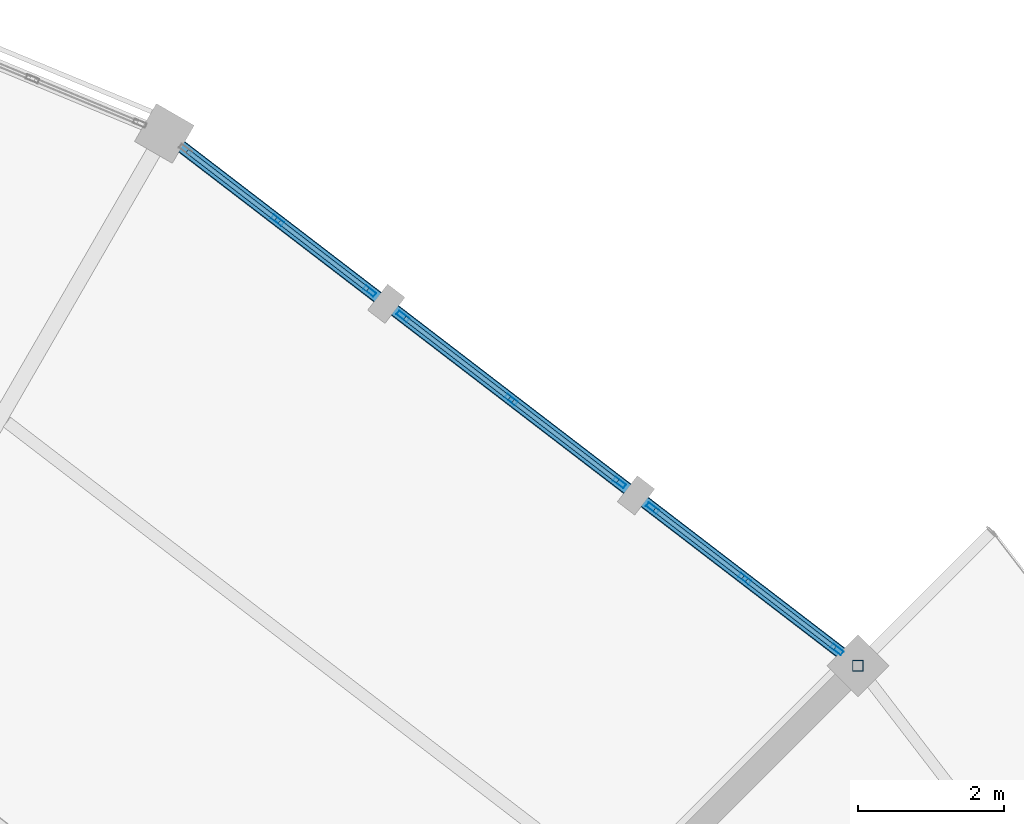
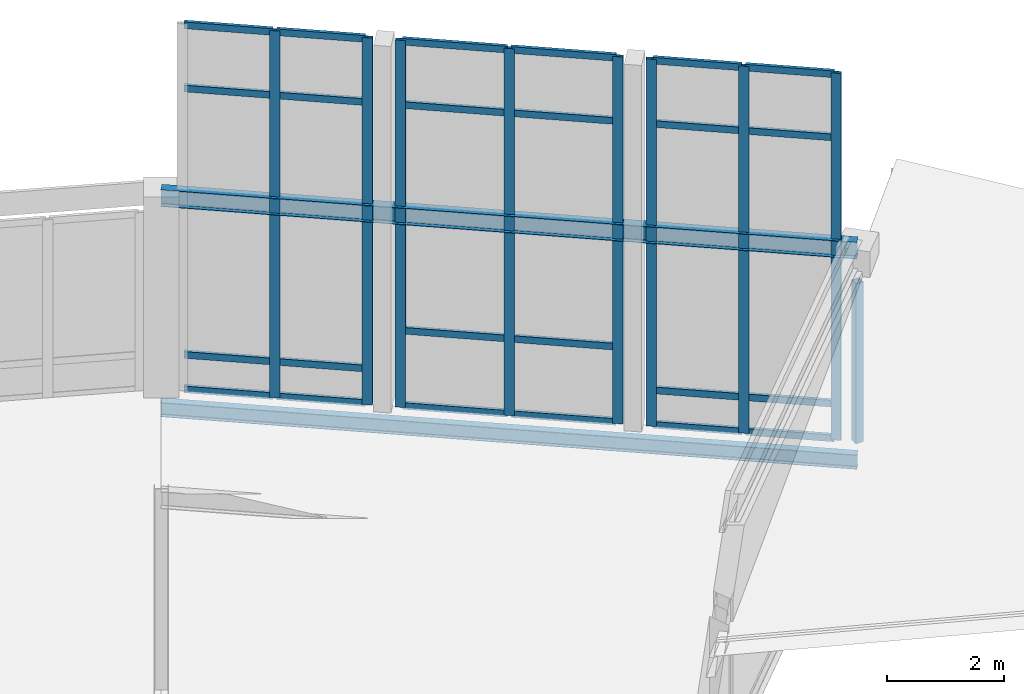
# One storey, part 124 of 200: 33 members, 2 beams, 3 elements without a shape of their own.
"""IFC4 building model written with IfcOpenShell, lengths in metres."""

from ifc_helpers import new_model, si_unit, direction, frame, origin, origin_2d, place, context, subcontext, project, spatial, hollow_rectangle, i_section, extrude, material, material_profile, profile_set, type_object, element, aggregate, save


model = new_model("IFC4")

# Units and contexts
model_context = context("Model", 3, precision=1e-05, world=origin(), true_north=direction((0.0, 1.0)))
body_context = subcontext(model_context, "Body", "Model", "MODEL_VIEW")
ifc_project = project(units=[si_unit("LENGTHUNIT", "METRE"), si_unit("AREAUNIT", "SQUARE_METRE"), si_unit("VOLUMEUNIT", "CUBIC_METRE"), si_unit("PLANEANGLEUNIT", "RADIAN"), si_unit("MASSUNIT", "GRAM", prefix="KILO")], contexts=[model_context])

# Site, building, storey
site_placement = place(None, origin())
site = spatial("IfcSite", under=ifc_project, at=site_placement, CompositionType="ELEMENT")
building_placement = place(site_placement, origin())
building = spatial("IfcBuilding", under=site, at=building_placement, Name="Vondelvale Polytechnic", CompositionType="ELEMENT")
storey_placement = place(building_placement, frame((0.0, 0.0, 13.800048828125)))
storey = spatial("IfcBuildingStorey", under=building, at=storey_placement, Name="L03", CompositionType="ELEMENT", Elevation=13.800048828125)

# Beams
ifc_material_1 = material(Name="Steel 300PLUS (fy = 300 MPa)", Category="steel")
ifc_material_profile_1 = material_profile(ifc_material_1, i_section(OverallWidth=0.14892578125, OverallDepth=0.298095703125, WebThickness=0.005615234375, FlangeThickness=0.008056640625, FilletRadius=0.011474609375, at=origin_2d()), Name="310UB32.0")
ifc_profile_set_1 = profile_set([ifc_material_profile_1], Name="Steel 300PLUS (fy = 300 MPa)")
beam_type_1 = type_object("IfcBeamType", Name="BM-UB310L", PredefinedType="BEAM", material=ifc_profile_set_1)
beam_1_placement = place(storey_placement, frame((134.52685546875, 104.52685546875, -0.399169921875), z_axis=(-0.793349743808, 0.608766116008, 0.0), x_axis=(-0.608766116008, -0.793349743808, 0.0)))
element("IfcBeam", 1, at=beam_1_placement, inside=storey, type_object=beam_type_1, Name="L03 RB B-25", PredefinedType="BEAM", context=body_context, shape_type="SweptSolid", body=[
    extrude(i_section(OverallWidth=0.14892578125, OverallDepth=0.298095703125, WebThickness=0.005615234375, FlangeThickness=0.008056640625, FilletRadius=0.011474609375, at=origin_2d()), origin(), (0.0, 0.0, 1.0), 12.00830078125),
])
ifc_material_profile_2 = material_profile(ifc_material_1, i_section(OverallWidth=0.1708984375, OverallDepth=0.35205078125, WebThickness=0.0068359375, FlangeThickness=0.009765625, FilletRadius=0.011474609375, at=origin_2d()), Name="360UB44.7")
ifc_profile_set_2 = profile_set([ifc_material_profile_2], Name="Steel 300PLUS (fy = 300 MPa)")
beam_type_2 = type_object("IfcBeamType", Name="BM-UB360L", PredefinedType="BEAM", material=ifc_profile_set_2)
beam_2_placement = place(storey_placement, frame((134.52685546875, 104.52685546875, 4.02392578125), z_axis=(-0.793349743808, 0.608766116008, 0.0), x_axis=(-0.608766116008, -0.793349743808, 0.0)))
element("IfcBeam", 2, at=beam_2_placement, inside=storey, type_object=beam_type_2, Name="L03 RE B-24", PredefinedType="BEAM", context=body_context, shape_type="SweptSolid", body=[
    extrude(i_section(OverallWidth=0.1708984375, OverallDepth=0.35205078125, WebThickness=0.0068359375, FlangeThickness=0.009765625, FilletRadius=0.011474609375, at=origin_2d()), origin(), (0.0, 0.0, 1.0), 12.00830078125),
])

# Curtain wall, members
ifc_material_2 = material(Name="Glulam GL18 structural Tasmanian oak (fb = 42 MPa)", Category="wood")
curtain_wall_type = type_object("IfcCurtainWallType", Name="CW-RING-OUTER", PredefinedType="NOTDEFINED", material=ifc_material_2)
curtain_wall_1_placement = place(storey_placement, origin())
curtain_wall_1 = element("IfcCurtainWall", 3, at=curtain_wall_1_placement, inside=storey, type_object=curtain_wall_type, Name="L03 architectural curtain wall CW-04-109", PredefinedType="NOTDEFINED")
ifc_material_3 = material(Name="Anodised extruded aluminium 6063-T6", Category="aluminium")
ifc_material_profile_3 = material_profile(ifc_material_3, hollow_rectangle(XDim=0.06494140625, YDim=0.179931640625, WallThickness=0.00390625, at=origin_2d()), Name="CW-MUL-180x65")
ifc_profile_set_3 = profile_set([ifc_material_profile_3], Name="Anodised extruded aluminium 6063-T6")
member_type_1 = type_object("IfcMemberType", Name="CW-MUL-65x180", PredefinedType="MULLION", material=ifc_profile_set_3)
member_1_placement = place(storey_placement, frame((134.237060546875, 104.749267578125, 0.0), z_axis=(0.0, 0.0, 1.0), x_axis=(-0.608786860133, -0.793333825656, 0.0)))
member_1 = element("IfcMember", 4, at=member_1_placement, type_object=member_type_1, Name="CW-04-109 mullion 1", PredefinedType="MULLION", context=body_context, shape_type="SweptSolid", body=[
    extrude(hollow_rectangle(XDim=0.06494140625, YDim=0.179931640625, WallThickness=0.00390625, at=origin_2d()), origin(), (0.0, 0.0, 1.0), 7.661376953125),
])
member_2_placement = place(storey_placement, frame((132.9716796875, 105.72021484375, 0.0), z_axis=(0.0, 0.0, 1.0), x_axis=(-0.608786860133, -0.793333825656, 0.0)))
member_2 = element("IfcMember", 5, at=member_2_placement, type_object=member_type_1, Name="CW-04-109 mullion 2", PredefinedType="MULLION", context=body_context, shape_type="SweptSolid", body=[
    extrude(hollow_rectangle(XDim=0.06494140625, YDim=0.179931640625, WallThickness=0.00390625, at=origin_2d()), origin(), (0.0, 0.0, 1.0), 7.661376953125),
])
member_3_placement = place(storey_placement, frame((131.706298828125, 106.691162109375, 0.0), z_axis=(0.0, 0.0, 1.0), x_axis=(-0.608786860133, -0.793333825656, 0.0)))
member_3 = element("IfcMember", 6, at=member_3_placement, type_object=member_type_1, Name="CW-04-109 mullion 3", PredefinedType="MULLION", context=body_context, shape_type="SweptSolid", body=[
    extrude(hollow_rectangle(XDim=0.06494140625, YDim=0.179931640625, WallThickness=0.00390625, at=origin_2d()), origin(), (0.0, 0.0, 1.0), 7.661376953125),
])

curtain_wall_2_placement = place(storey_placement, origin())
curtain_wall_2 = element("IfcCurtainWall", 7, at=curtain_wall_2_placement, inside=storey, type_object=curtain_wall_type, Name="L03 architectural curtain wall CW-04-110", PredefinedType="NOTDEFINED")
member_4_placement = place(storey_placement, frame((131.250244140625, 107.041259765625, 0.0), z_axis=(0.0, 0.0, 1.0), x_axis=(-0.608771189063, -0.793345851043, 0.0)))
member_4 = element("IfcMember", 8, at=member_4_placement, type_object=member_type_1, Name="CW-04-110 mullion 1", PredefinedType="MULLION", context=body_context, shape_type="SweptSolid", body=[
    extrude(hollow_rectangle(XDim=0.06494140625, YDim=0.179931640625, WallThickness=0.00390625, at=origin_2d()), origin(), (0.0, 0.0, 1.0), 7.661376953125),
])
member_5_placement = place(storey_placement, frame((129.763427734375, 108.18212890625, 0.0), z_axis=(0.0, 0.0, 1.0), x_axis=(-0.608771189063, -0.793345851043, 0.0)))
member_5 = element("IfcMember", 9, at=member_5_placement, type_object=member_type_1, Name="CW-04-110 mullion 2", PredefinedType="MULLION", context=body_context, shape_type="SweptSolid", body=[
    extrude(hollow_rectangle(XDim=0.06494140625, YDim=0.179931640625, WallThickness=0.00390625, at=origin_2d()), origin(), (0.0, 0.0, 1.0), 7.661376953125),
])
member_6_placement = place(storey_placement, frame((128.276611328125, 109.322998046875, 0.0), z_axis=(0.0, 0.0, 1.0), x_axis=(-0.608771189063, -0.793345851043, 0.0)))
member_6 = element("IfcMember", 10, at=member_6_placement, type_object=member_type_1, Name="CW-04-110 mullion 3", PredefinedType="MULLION", context=body_context, shape_type="SweptSolid", body=[
    extrude(hollow_rectangle(XDim=0.06494140625, YDim=0.179931640625, WallThickness=0.00390625, at=origin_2d()), origin(), (0.0, 0.0, 1.0), 7.661376953125),
])

curtain_wall_3_placement = place(storey_placement, origin())
curtain_wall_3 = element("IfcCurtainWall", 11, at=curtain_wall_3_placement, inside=storey, type_object=curtain_wall_type, Name="L03 architectural curtain wall CW-04-111", PredefinedType="NOTDEFINED")
member_7_placement = place(storey_placement, frame((127.820556640625, 109.6728515625, 0.0), z_axis=(0.0, 0.0, 1.0), x_axis=(-0.608786860133, -0.793333825656, 0.0)))
member_7 = element("IfcMember", 12, at=member_7_placement, type_object=member_type_1, Name="CW-04-111 mullion 1", PredefinedType="MULLION", context=body_context, shape_type="SweptSolid", body=[
    extrude(hollow_rectangle(XDim=0.06494140625, YDim=0.179931640625, WallThickness=0.00390625, at=origin_2d()), origin(), (0.0, 0.0, 1.0), 7.661376953125),
])
member_8_placement = place(storey_placement, frame((126.55517578125, 110.643798828125, 0.0), z_axis=(0.0, 0.0, 1.0), x_axis=(-0.608786860133, -0.793333825656, 0.0)))
member_8 = element("IfcMember", 13, at=member_8_placement, type_object=member_type_1, Name="CW-04-111 mullion 2", PredefinedType="MULLION", context=body_context, shape_type="SweptSolid", body=[
    extrude(hollow_rectangle(XDim=0.06494140625, YDim=0.179931640625, WallThickness=0.00390625, at=origin_2d()), origin(), (0.0, 0.0, 1.0), 7.661376953125),
])

# Member
ifc_material_profile_4 = material_profile(ifc_material_3, hollow_rectangle(XDim=0.06005859375, YDim=0.139892578125, WallThickness=0.00341796875, at=origin_2d()), Name="CW-TRN-140x60")
ifc_profile_set_4 = profile_set([ifc_material_profile_4], Name="Anodised extruded aluminium 6063-T6")
member_type_2 = type_object("IfcMemberType", Name="CW-TRN-60x140", PredefinedType="USERDEFINED", material=ifc_profile_set_4)
member_9_placement = place(storey_placement, frame((134.21142578125, 104.76904296875, 0.030029296875), z_axis=(-0.793364883229, 0.608746385664, 0.0), x_axis=(-0.608746385664, -0.793364883229, 0.0)))
member_9 = element("IfcMember", 14, at=member_9_placement, type_object=member_type_2, Name="CW-04-109 transom 1.1", ObjectType="TRANSOM", PredefinedType="USERDEFINED", context=body_context, shape_type="SweptSolid", body=[
    extrude(hollow_rectangle(XDim=0.06005859375, YDim=0.139892578125, WallThickness=0.00341796875, at=origin_2d()), origin(), (0.0, 0.0, 1.0), 1.530029296875),
])

member_10_placement = place(storey_placement, frame((134.21142578125, 104.76904296875, 0.75), z_axis=(-0.793364883229, 0.608746385664, 0.0), x_axis=(-0.608746385664, -0.793364883229, 0.0)))
member_10 = element("IfcMember", 15, at=member_10_placement, type_object=member_type_2, Name="CW-04-109 transom 1.2", ObjectType="TRANSOM", PredefinedType="USERDEFINED", context=body_context, shape_type="SweptSolid", body=[
    extrude(hollow_rectangle(XDim=0.06005859375, YDim=0.139892578125, WallThickness=0.00341796875, at=origin_2d()), origin(), (0.0, 0.0, 1.0), 1.530029296875),
])

member_11_placement = place(storey_placement, frame((134.21142578125, 104.76904296875, 6.311279296875), z_axis=(-0.793364883229, 0.608746385664, 0.0), x_axis=(-0.608746385664, -0.793364883229, 0.0)))
member_11 = element("IfcMember", 16, at=member_11_placement, type_object=member_type_2, Name="CW-04-109 transom 1.3", ObjectType="TRANSOM", PredefinedType="USERDEFINED", context=body_context, shape_type="SweptSolid", body=[
    extrude(hollow_rectangle(XDim=0.06005859375, YDim=0.139892578125, WallThickness=0.00341796875, at=origin_2d()), origin(), (0.0, 0.0, 1.0), 1.530029296875),
])

member_12_placement = place(storey_placement, frame((134.21142578125, 104.76904296875, 7.63134765625), z_axis=(-0.793364883229, 0.608746385664, 0.0), x_axis=(-0.608746385664, -0.793364883229, 0.0)))
member_12 = element("IfcMember", 17, at=member_12_placement, type_object=member_type_2, Name="CW-04-109 transom 1.4", ObjectType="TRANSOM", PredefinedType="USERDEFINED", context=body_context, shape_type="SweptSolid", body=[
    extrude(hollow_rectangle(XDim=0.06005859375, YDim=0.139892578125, WallThickness=0.00341796875, at=origin_2d()), origin(), (0.0, 0.0, 1.0), 1.530029296875),
])

member_13_placement = place(storey_placement, frame((132.946044921875, 105.739990234375, 0.030029296875), z_axis=(-0.793364883229, 0.608746385664, 0.0), x_axis=(-0.608746385664, -0.793364883229, 0.0)))
member_13 = element("IfcMember", 18, at=member_13_placement, type_object=member_type_2, Name="CW-04-109 transom 2.1", ObjectType="TRANSOM", PredefinedType="USERDEFINED", context=body_context, shape_type="SweptSolid", body=[
    extrude(hollow_rectangle(XDim=0.06005859375, YDim=0.139892578125, WallThickness=0.00341796875, at=origin_2d()), origin(), (0.0, 0.0, 1.0), 1.530029296875),
])

member_14_placement = place(storey_placement, frame((132.946044921875, 105.739990234375, 0.75), z_axis=(-0.793364883229, 0.608746385664, 0.0), x_axis=(-0.608746385664, -0.793364883229, 0.0)))
member_14 = element("IfcMember", 19, at=member_14_placement, type_object=member_type_2, Name="CW-04-109 transom 2.2", ObjectType="TRANSOM", PredefinedType="USERDEFINED", context=body_context, shape_type="SweptSolid", body=[
    extrude(hollow_rectangle(XDim=0.06005859375, YDim=0.139892578125, WallThickness=0.00341796875, at=origin_2d()), origin(), (0.0, 0.0, 1.0), 1.530029296875),
])

member_15_placement = place(storey_placement, frame((132.946044921875, 105.739990234375, 6.311279296875), z_axis=(-0.793364883229, 0.608746385664, 0.0), x_axis=(-0.608746385664, -0.793364883229, 0.0)))
member_15 = element("IfcMember", 20, at=member_15_placement, type_object=member_type_2, Name="CW-04-109 transom 2.3", ObjectType="TRANSOM", PredefinedType="USERDEFINED", context=body_context, shape_type="SweptSolid", body=[
    extrude(hollow_rectangle(XDim=0.06005859375, YDim=0.139892578125, WallThickness=0.00341796875, at=origin_2d()), origin(), (0.0, 0.0, 1.0), 1.530029296875),
])

member_16_placement = place(storey_placement, frame((132.946044921875, 105.739990234375, 7.63134765625), z_axis=(-0.793364883229, 0.608746385664, 0.0), x_axis=(-0.608746385664, -0.793364883229, 0.0)))
member_16 = element("IfcMember", 21, at=member_16_placement, type_object=member_type_2, Name="CW-04-109 transom 2.4", ObjectType="TRANSOM", PredefinedType="USERDEFINED", context=body_context, shape_type="SweptSolid", body=[
    extrude(hollow_rectangle(XDim=0.06005859375, YDim=0.139892578125, WallThickness=0.00341796875, at=origin_2d()), origin(), (0.0, 0.0, 1.0), 1.530029296875),
])

aggregate(curtain_wall_1, [member_1, member_2, member_3, member_9, member_10, member_11, member_12, member_13, member_14, member_15, member_16])

member_17_placement = place(storey_placement, frame((131.224365234375, 107.06103515625, 0.030029296875), z_axis=(-0.793310842007, 0.608816809849, 0.0), x_axis=(-0.608816809849, -0.793310842007, 0.0)))
member_17 = element("IfcMember", 22, at=member_17_placement, type_object=member_type_2, Name="CW-04-110 transom 1.1", ObjectType="TRANSOM", PredefinedType="USERDEFINED", context=body_context, shape_type="SweptSolid", body=[
    extrude(hollow_rectangle(XDim=0.06005859375, YDim=0.139892578125, WallThickness=0.00341796875, at=origin_2d()), origin(), (0.0, 0.0, 1.0), 1.808837890625),
])

member_18_placement = place(storey_placement, frame((131.224365234375, 107.06103515625, 1.599853515625), z_axis=(-0.793310842007, 0.608816809849, 0.0), x_axis=(-0.608816809849, -0.793310842007, 0.0)))
member_18 = element("IfcMember", 23, at=member_18_placement, type_object=member_type_2, Name="CW-04-110 transom 1.2", ObjectType="TRANSOM", PredefinedType="USERDEFINED", context=body_context, shape_type="SweptSolid", body=[
    extrude(hollow_rectangle(XDim=0.06005859375, YDim=0.139892578125, WallThickness=0.00341796875, at=origin_2d()), origin(), (0.0, 0.0, 1.0), 1.808837890625),
])

member_19_placement = place(storey_placement, frame((131.224365234375, 107.06103515625, 6.311279296875), z_axis=(-0.793310842007, 0.608816809849, 0.0), x_axis=(-0.608816809849, -0.793310842007, 0.0)))
member_19 = element("IfcMember", 24, at=member_19_placement, type_object=member_type_2, Name="CW-04-110 transom 1.3", ObjectType="TRANSOM", PredefinedType="USERDEFINED", context=body_context, shape_type="SweptSolid", body=[
    extrude(hollow_rectangle(XDim=0.06005859375, YDim=0.139892578125, WallThickness=0.00341796875, at=origin_2d()), origin(), (0.0, 0.0, 1.0), 1.808837890625),
])

member_20_placement = place(storey_placement, frame((131.224365234375, 107.06103515625, 7.63134765625), z_axis=(-0.793310842007, 0.608816809849, 0.0), x_axis=(-0.608816809849, -0.793310842007, 0.0)))
member_20 = element("IfcMember", 25, at=member_20_placement, type_object=member_type_2, Name="CW-04-110 transom 1.4", ObjectType="TRANSOM", PredefinedType="USERDEFINED", context=body_context, shape_type="SweptSolid", body=[
    extrude(hollow_rectangle(XDim=0.06005859375, YDim=0.139892578125, WallThickness=0.00341796875, at=origin_2d()), origin(), (0.0, 0.0, 1.0), 1.808837890625),
])

member_21_placement = place(storey_placement, frame((129.737548828125, 108.201904296875, 0.030029296875), z_axis=(-0.793310842007, 0.608816809849, 0.0), x_axis=(-0.608816809849, -0.793310842007, 0.0)))
member_21 = element("IfcMember", 26, at=member_21_placement, type_object=member_type_2, Name="CW-04-110 transom 2.1", ObjectType="TRANSOM", PredefinedType="USERDEFINED", context=body_context, shape_type="SweptSolid", body=[
    extrude(hollow_rectangle(XDim=0.06005859375, YDim=0.139892578125, WallThickness=0.00341796875, at=origin_2d()), origin(), (0.0, 0.0, 1.0), 1.808837890625),
])

member_22_placement = place(storey_placement, frame((129.737548828125, 108.201904296875, 1.599853515625), z_axis=(-0.793310842007, 0.608816809849, 0.0), x_axis=(-0.608816809849, -0.793310842007, 0.0)))
member_22 = element("IfcMember", 27, at=member_22_placement, type_object=member_type_2, Name="CW-04-110 transom 2.2", ObjectType="TRANSOM", PredefinedType="USERDEFINED", context=body_context, shape_type="SweptSolid", body=[
    extrude(hollow_rectangle(XDim=0.06005859375, YDim=0.139892578125, WallThickness=0.00341796875, at=origin_2d()), origin(), (0.0, 0.0, 1.0), 1.808837890625),
])

member_23_placement = place(storey_placement, frame((129.737548828125, 108.201904296875, 6.311279296875), z_axis=(-0.793310842007, 0.608816809849, 0.0), x_axis=(-0.608816809849, -0.793310842007, 0.0)))
member_23 = element("IfcMember", 28, at=member_23_placement, type_object=member_type_2, Name="CW-04-110 transom 2.3", ObjectType="TRANSOM", PredefinedType="USERDEFINED", context=body_context, shape_type="SweptSolid", body=[
    extrude(hollow_rectangle(XDim=0.06005859375, YDim=0.139892578125, WallThickness=0.00341796875, at=origin_2d()), origin(), (0.0, 0.0, 1.0), 1.808837890625),
])

member_24_placement = place(storey_placement, frame((129.737548828125, 108.201904296875, 7.63134765625), z_axis=(-0.793310842007, 0.608816809849, 0.0), x_axis=(-0.608816809849, -0.793310842007, 0.0)))
member_24 = element("IfcMember", 29, at=member_24_placement, type_object=member_type_2, Name="CW-04-110 transom 2.4", ObjectType="TRANSOM", PredefinedType="USERDEFINED", context=body_context, shape_type="SweptSolid", body=[
    extrude(hollow_rectangle(XDim=0.06005859375, YDim=0.139892578125, WallThickness=0.00341796875, at=origin_2d()), origin(), (0.0, 0.0, 1.0), 1.808837890625),
])

aggregate(curtain_wall_2, [member_4, member_5, member_6, member_17, member_18, member_19, member_20, member_21, member_22, member_23, member_24])

member_25_placement = place(storey_placement, frame((127.794677734375, 109.692626953125, 0.030029296875), z_axis=(-0.793305741078, 0.60882345649, 0.0), x_axis=(-0.60882345649, -0.793305741078, 0.0)))
member_25 = element("IfcMember", 30, at=member_25_placement, type_object=member_type_2, Name="CW-04-111 transom 1.1", ObjectType="TRANSOM", PredefinedType="USERDEFINED", context=body_context, shape_type="SweptSolid", body=[
    extrude(hollow_rectangle(XDim=0.06005859375, YDim=0.139892578125, WallThickness=0.00341796875, at=origin_2d()), origin(), (0.0, 0.0, 1.0), 1.52978515625),
])

member_26_placement = place(storey_placement, frame((127.794677734375, 109.692626953125, 0.75), z_axis=(-0.793305741078, 0.60882345649, 0.0), x_axis=(-0.60882345649, -0.793305741078, 0.0)))
member_26 = element("IfcMember", 31, at=member_26_placement, type_object=member_type_2, Name="CW-04-111 transom 1.2", ObjectType="TRANSOM", PredefinedType="USERDEFINED", context=body_context, shape_type="SweptSolid", body=[
    extrude(hollow_rectangle(XDim=0.06005859375, YDim=0.139892578125, WallThickness=0.00341796875, at=origin_2d()), origin(), (0.0, 0.0, 1.0), 1.52978515625),
])

member_27_placement = place(storey_placement, frame((127.794677734375, 109.692626953125, 6.311279296875), z_axis=(-0.793305741078, 0.60882345649, 0.0), x_axis=(-0.60882345649, -0.793305741078, 0.0)))
member_27 = element("IfcMember", 32, at=member_27_placement, type_object=member_type_2, Name="CW-04-111 transom 1.3", ObjectType="TRANSOM", PredefinedType="USERDEFINED", context=body_context, shape_type="SweptSolid", body=[
    extrude(hollow_rectangle(XDim=0.06005859375, YDim=0.139892578125, WallThickness=0.00341796875, at=origin_2d()), origin(), (0.0, 0.0, 1.0), 1.52978515625),
])

member_28_placement = place(storey_placement, frame((127.794677734375, 109.692626953125, 7.63134765625), z_axis=(-0.793305741078, 0.60882345649, 0.0), x_axis=(-0.60882345649, -0.793305741078, 0.0)))
member_28 = element("IfcMember", 33, at=member_28_placement, type_object=member_type_2, Name="CW-04-111 transom 1.4", ObjectType="TRANSOM", PredefinedType="USERDEFINED", context=body_context, shape_type="SweptSolid", body=[
    extrude(hollow_rectangle(XDim=0.06005859375, YDim=0.139892578125, WallThickness=0.00341796875, at=origin_2d()), origin(), (0.0, 0.0, 1.0), 1.52978515625),
])

member_29_placement = place(storey_placement, frame((126.529296875, 110.66357421875, 0.030029296875), z_axis=(-0.7932286645, 0.608923875222, 0.0), x_axis=(-0.608923875222, -0.7932286645, 0.0)))
member_29 = element("IfcMember", 34, at=member_29_placement, type_object=member_type_2, Name="CW-04-111 transom 2.1", ObjectType="TRANSOM", PredefinedType="USERDEFINED", context=body_context, shape_type="SweptSolid", body=[
    extrude(hollow_rectangle(XDim=0.06005859375, YDim=0.139892578125, WallThickness=0.00341796875, at=origin_2d()), origin(), (0.0, 0.0, 1.0), 1.530029296875),
])

member_30_placement = place(storey_placement, frame((126.529296875, 110.66357421875, 0.75), z_axis=(-0.7932286645, 0.608923875222, 0.0), x_axis=(-0.608923875222, -0.7932286645, 0.0)))
member_30 = element("IfcMember", 35, at=member_30_placement, type_object=member_type_2, Name="CW-04-111 transom 2.2", ObjectType="TRANSOM", PredefinedType="USERDEFINED", context=body_context, shape_type="SweptSolid", body=[
    extrude(hollow_rectangle(XDim=0.06005859375, YDim=0.139892578125, WallThickness=0.00341796875, at=origin_2d()), origin(), (0.0, 0.0, 1.0), 1.530029296875),
])

member_31_placement = place(storey_placement, frame((126.529296875, 110.66357421875, 6.311279296875), z_axis=(-0.7932286645, 0.608923875222, 0.0), x_axis=(-0.608923875222, -0.7932286645, 0.0)))
member_31 = element("IfcMember", 36, at=member_31_placement, type_object=member_type_2, Name="CW-04-111 transom 2.3", ObjectType="TRANSOM", PredefinedType="USERDEFINED", context=body_context, shape_type="SweptSolid", body=[
    extrude(hollow_rectangle(XDim=0.06005859375, YDim=0.139892578125, WallThickness=0.00341796875, at=origin_2d()), origin(), (0.0, 0.0, 1.0), 1.530029296875),
])

member_32_placement = place(storey_placement, frame((126.529296875, 110.66357421875, 7.63134765625), z_axis=(-0.7932286645, 0.608923875222, 0.0), x_axis=(-0.608923875222, -0.7932286645, 0.0)))
member_32 = element("IfcMember", 37, at=member_32_placement, type_object=member_type_2, Name="CW-04-111 transom 2.4", ObjectType="TRANSOM", PredefinedType="USERDEFINED", context=body_context, shape_type="SweptSolid", body=[
    extrude(hollow_rectangle(XDim=0.06005859375, YDim=0.139892578125, WallThickness=0.00341796875, at=origin_2d()), origin(), (0.0, 0.0, 1.0), 1.530029296875),
])

aggregate(curtain_wall_3, [member_7, member_8, member_25, member_26, member_27, member_28, member_29, member_30, member_31, member_32])

ifc_material_4 = material(Name="Steel C350L0 (fy = 350 MPa)", Category="steel")
ifc_material_profile_5 = material_profile(ifc_material_4, hollow_rectangle(XDim=0.14990234375, YDim=0.14990234375, WallThickness=0.006103515625, at=origin_2d()), Name="150x150x6.0SHS")
ifc_profile_set_5 = profile_set([ifc_material_profile_5], Name="Steel C350L0 (fy = 350 MPa)")
member_type_3 = type_object("IfcMemberType", Name="ROOF TRUSS POST 150SHS", PredefinedType="POST", material=ifc_profile_set_5)
member_33_placement = place(storey_placement, frame((134.52685546875, 104.52685546875, 0.0), z_axis=(0.0, 0.0, 1.0), x_axis=(1.0, 0.0, 0.0)))
element("IfcMember", 38, at=member_33_placement, inside=storey, type_object=member_type_3, Name="Ring step outer roof post 02", PredefinedType="POST", context=body_context, shape_type="SweptSolid", body=[
    extrude(hollow_rectangle(XDim=0.14990234375, YDim=0.14990234375, WallThickness=0.006103515625, at=origin_2d()), origin(), (0.0, 0.0, 1.0), 3.33984375),
])

save(model, "model.ifc")
